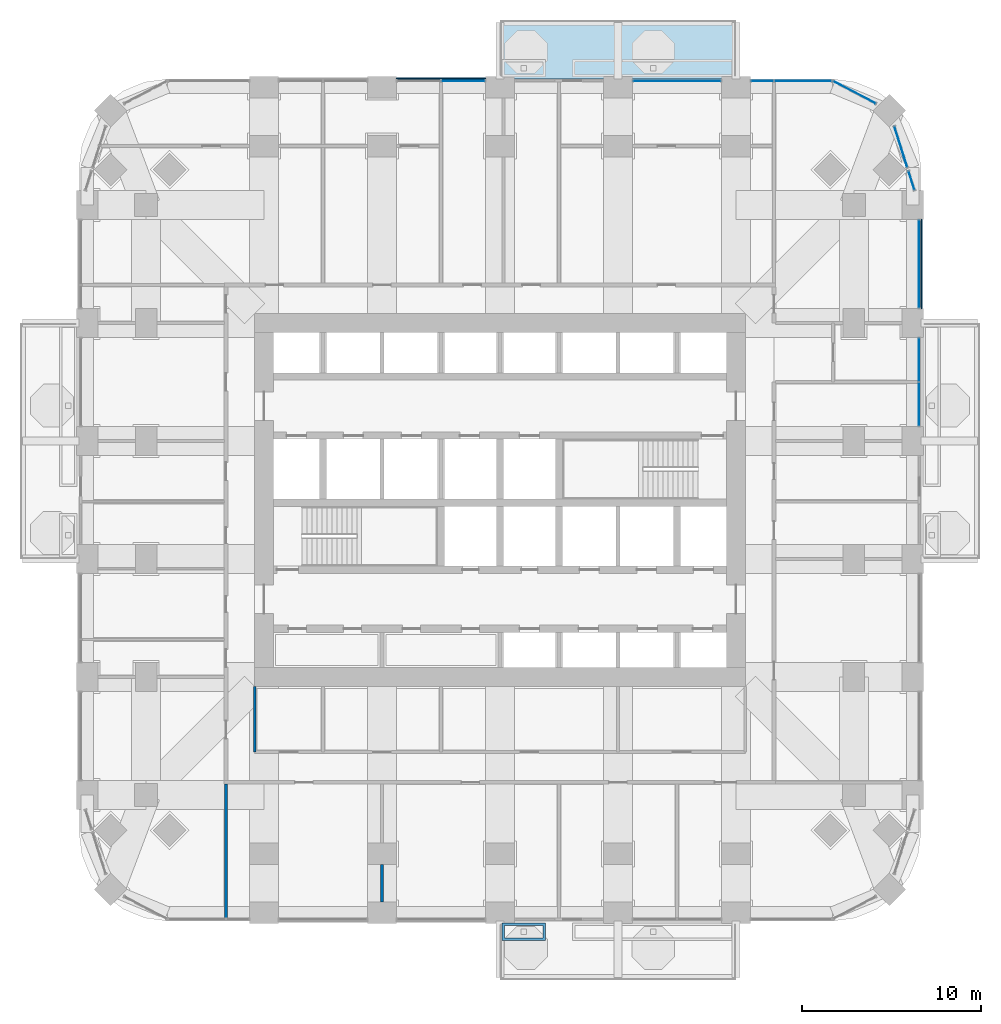
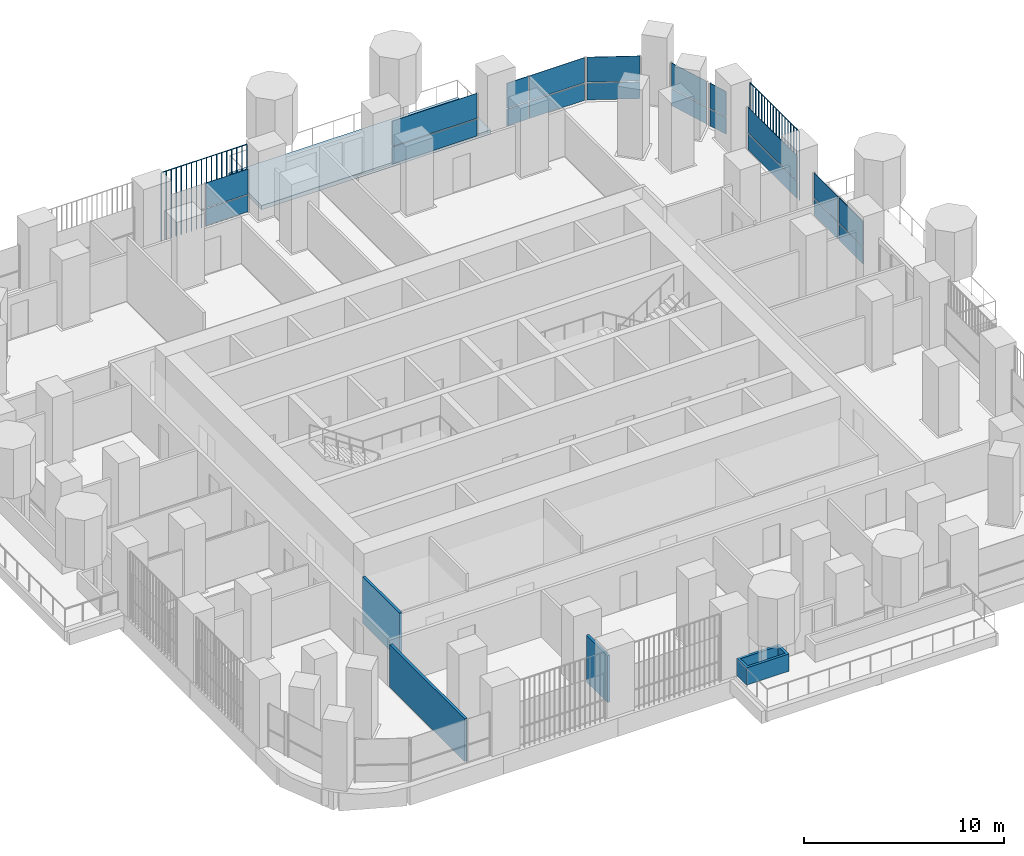
# One storey, part 13 of 22: 22 plates, 4 walls, 1 slab, 8 elements without a shape of their own.
"""IFC4 building model written with IfcOpenShell, lengths in metres."""

import ifcopenshell
import ifcopenshell.guid

model = None  # the IFC model being written
_history = None  # IfcOwnerHistory: only IFC2X3 demands one
_inside = {}  # id of a spatial element -> (the spatial element, [elements in it])
_under = {}  # id of a project, library or spatial element -> (it, [spatial elements below it])
_declared = {}  # id of a project -> (the project, [libraries it declares])
_typed = {}  # id of a type object -> (the type object, [elements of that type])
_made_of = {}  # id of a material, layer set ... -> (it, [elements and type objects made of it])


def new_model(schema):
    """Start an empty IFC model of exactly this schema.

    Asked for "IFC4X3", IfcOpenShell would pick the latest addendum, in which some entities
    have other attributes; the version numbers below select the first issue.
    IFC2X3 requires an IfcOwnerHistory on every rooted entity: one is made here for all.
    """
    global model, _history
    if schema == "IFC4X3":
        model = ifcopenshell.file(schema_version=(4, 3, 0, 0))
    else:
        model = ifcopenshell.file(schema=schema)
    _inside.clear()
    _under.clear()
    _declared.clear()
    _typed.clear()
    _made_of.clear()
    _history = None
    if model.schema == "IFC2X3":
        org = make("IfcOrganization", Name="unknown")
        user = make(
            "IfcPersonAndOrganization",
            ThePerson=make("IfcPerson", FamilyName="unknown"),
            TheOrganization=org,
        )
        app = make(
            "IfcApplication",
            ApplicationDeveloper=org,
            Version="unknown",
            ApplicationFullName="unknown",
            ApplicationIdentifier="unknown",
        )
        _history = make(
            "IfcOwnerHistory",
            OwningUser=user,
            OwningApplication=app,
            ChangeAction="ADDED",
            CreationDate=0,
        )
    return model


def make(cls, **values):
    """One entity of the class cls with the attributes given. An attribute that is None is left unset."""
    return model.create_entity(
        cls, **{name: value for name, value in values.items() if value is not None}
    )


def rooted(cls, **values):
    """An entity with a GlobalId (a new one), such as an element, a storey or a relation."""
    return make(cls, GlobalId=ifcopenshell.guid.new(), OwnerHistory=_history, **values)


def si_unit(unit_type, name, prefix=None):
    """IfcSIUnit, for example si_unit("LENGTHUNIT", "METRE", prefix="MILLI")."""
    return make("IfcSIUnit", UnitType=unit_type, Prefix=prefix, Name=name)


def assignment(units):
    """IfcUnitAssignment: the units of a project."""
    return None if units is None else make("IfcUnitAssignment", Units=units)


def point(xyz):
    """IfcCartesianPoint."""
    return None if xyz is None else make("IfcCartesianPoint", Coordinates=xyz)


def direction(xyz):
    """IfcDirection."""
    return None if xyz is None else make("IfcDirection", DirectionRatios=xyz)


def frame(location, z_axis=None, x_axis=None):
    """IfcAxis2Placement3D, a coordinate frame: its origin and axes. An axis left out is left unset."""
    return make(
        "IfcAxis2Placement3D",
        Location=point(location),
        Axis=direction(z_axis),
        RefDirection=direction(x_axis),
    )


def frame_2d(location, x_axis=None):
    """IfcAxis2Placement2D, a coordinate frame in the plane: its origin and x axis."""
    return make(
        "IfcAxis2Placement2D", Location=point(location), RefDirection=direction(x_axis)
    )


def origin():
    """The frame at (0, 0, 0) with its axes left unset."""
    return frame((0.0, 0.0, 0.0))


def origin_2d():
    """The frame at (0, 0) in the plane with its x axis left unset."""
    return frame_2d((0.0, 0.0))


def place(relative_to, where):
    """IfcLocalPlacement: puts the frame where relative to a parent placement (None: the world)."""
    return make(
        "IfcLocalPlacement", PlacementRelTo=relative_to, RelativePlacement=where
    )


def context(
    kind, dimensions, precision=None, world=None, true_north=None, identifier=None
):
    """IfcGeometricRepresentationContext, for example the 3D "Model" context."""
    return make(
        "IfcGeometricRepresentationContext",
        ContextIdentifier=identifier,
        ContextType=kind,
        CoordinateSpaceDimension=dimensions,
        Precision=precision,
        WorldCoordinateSystem=world,
        TrueNorth=true_north,
    )


def subcontext(parent, identifier, kind, view, scale=None):
    """IfcGeometricRepresentationSubContext, for example "Body" below "Model"."""
    return make(
        "IfcGeometricRepresentationSubContext",
        ContextIdentifier=identifier,
        ContextType=kind,
        ParentContext=parent,
        TargetScale=scale,
        TargetView=view,
    )


def project(units=None, contexts=None):
    """IfcProject with its units and contexts."""
    return rooted(
        "IfcProject",
        Name="project",
        RepresentationContexts=contexts,
        UnitsInContext=assignment(units),
    )


def spatial(cls, under=None, at=None, **own):
    """A site, building, storey or space (cls), placed at a placement, below another one or the project."""
    s = rooted(cls, ObjectPlacement=at, **own)
    if under is not None:
        _under.setdefault(under.id(), (under, []))[1].append(s)
    return s


def polyline(points):
    """IfcPolyline through the points."""
    return make("IfcPolyline", Points=[point(p) for p in points])


def profile(cls, at=None, kind="AREA", **sizes):
    """A parametric profile (cls). Its sizes go by their IFC names, for example OverallWidth=200.0."""
    return make(cls, ProfileType=kind, Position=at, **sizes)


def rectangle(**sizes):
    """IfcRectangleProfileDef."""
    return profile("IfcRectangleProfileDef", **sizes)


def outline(outer, holes=None, kind="AREA"):
    """IfcArbitraryClosedProfileDef: a profile drawn as a closed curve; with holes, ...WithVoids."""
    if holes is None:
        return make("IfcArbitraryClosedProfileDef", ProfileType=kind, OuterCurve=outer)
    return make(
        "IfcArbitraryProfileDefWithVoids",
        ProfileType=kind,
        OuterCurve=outer,
        InnerCurves=holes,
    )


def extrude(swept, where, along, depth):
    """IfcExtrudedAreaSolid: the profile swept, set in the frame where, extruded along a direction by depth."""
    return make(
        "IfcExtrudedAreaSolid",
        SweptArea=swept,
        Position=where,
        ExtrudedDirection=direction(along),
        Depth=depth,
    )


def shape(context_of_items, identifier, shape_type, items):
    """IfcShapeRepresentation: the items that make up one representation, for example the "Body"."""
    return make(
        "IfcShapeRepresentation",
        ContextOfItems=context_of_items,
        RepresentationIdentifier=identifier,
        RepresentationType=shape_type,
        Items=items,
    )


def material(Name=None, Category=None):
    """IfcMaterial."""
    return make("IfcMaterial", Name=Name, Category=Category)


def layer(
    of_material, thickness, ventilated=None, Name=None, Category=None, Priority=None
):
    """IfcMaterialLayer: one layer of a wall or slab, of a material (None: an air gap)."""
    return make(
        "IfcMaterialLayer",
        Material=of_material,
        LayerThickness=thickness,
        IsVentilated=ventilated,
        Name=Name,
        Category=Category,
        Priority=Priority,
    )


def layer_set(layers, Name=None):
    """IfcMaterialLayerSet."""
    return make("IfcMaterialLayerSet", MaterialLayers=layers, LayerSetName=Name)


def made_of(thing, what):
    """Note that an element or type object is made of a material, layer set ...; save() writes the relation."""
    if what is not None:
        _made_of.setdefault(what.id(), (what, []))[1].append(thing)
    return thing


def type_object(cls, material=None, **own):
    """A type object (cls), such as IfcWallType, which elements share."""
    return made_of(rooted(cls, **own), material)


def element(
    cls,
    number,
    at=None,
    inside=None,
    cuts=None,
    type_object=None,
    material=None,
    context=None,
    identifier="Body",
    shape_type=None,
    held_by="IfcProductDefinitionShape",
    body=None,
    shapes=None,
    **own,
):
    """One element of the class cls, such as IfcWall. Its Tag is "e" and its number.

    at: its placement. inside: the storey or other place that contains it. cuts: it is an
    opening in that element (IfcRelVoidsElement). A single representation is given by context,
    identifier, shape_type and body (its items); several are given by shapes. held_by: the class
    of the entity that holds the representations. save() writes the other relations.
    """
    e = rooted(cls, Tag="e%d" % number, ObjectPlacement=at, **own)
    if body is not None:
        shapes = [shape(context, identifier, shape_type, body)]
    if shapes is not None:
        e.Representation = make(held_by, Representations=shapes)
    if inside is not None:
        _inside.setdefault(inside.id(), (inside, []))[1].append(e)
    if cuts is not None:
        rooted(
            "IfcRelVoidsElement", RelatingBuildingElement=cuts, RelatedOpeningElement=e
        )
    if type_object is not None:
        _typed.setdefault(type_object.id(), (type_object, []))[1].append(e)
    return made_of(e, material)


def aggregate(whole, parts):
    """IfcRelAggregates: a whole, such as a stair, and the parts it consists of."""
    return rooted("IfcRelAggregates", RelatingObject=whole, RelatedObjects=parts)


def save(model, path):
    """Write the relations noted so far, then the file.

    IfcRelAggregates (storeys below a building ...), IfcRelContainedInSpatialStructure (elements
    in a storey), IfcRelDefinesByType, IfcRelAssociatesMaterial and IfcRelDeclares: one each for
    every whole, place, type object, material and project.
    """
    for whole, parts in _under.values():
        aggregate(whole, parts)
    for where, things in _inside.values():
        rooted(
            "IfcRelContainedInSpatialStructure",
            RelatedElements=things,
            RelatingStructure=where,
        )
    for kind, things in _typed.values():
        rooted("IfcRelDefinesByType", RelatedObjects=things, RelatingType=kind)
    for what, things in _made_of.values():
        rooted("IfcRelAssociatesMaterial", RelatedObjects=things, RelatingMaterial=what)
    for by, libraries in _declared.values():
        rooted("IfcRelDeclares", RelatingContext=by, RelatedDefinitions=libraries)
    model.write(path)


model = new_model("IFC4")

# Units and contexts
model_context = context("Model", 3, precision=1e-05, world=origin(), true_north=direction((0.0, 1.0)))
body_context = subcontext(model_context, "Body", "Model", "MODEL_VIEW")
ifc_project = project(units=[si_unit("LENGTHUNIT", "METRE"), si_unit("AREAUNIT", "SQUARE_METRE"), si_unit("VOLUMEUNIT", "CUBIC_METRE"), si_unit("PLANEANGLEUNIT", "RADIAN"), si_unit("MASSUNIT", "GRAM", prefix="KILO")], contexts=[model_context])

# Site, building, storey
site_placement = place(None, origin())
site = spatial("IfcSite", under=ifc_project, at=site_placement, CompositionType="ELEMENT")
building_placement = place(site_placement, origin())
building = spatial("IfcBuilding", under=site, at=building_placement, Name="Cobogo Forest Laboratory Tower", CompositionType="ELEMENT")
storey_placement = place(building_placement, frame((0.0, 0.0, 136.800048828125)))
storey = spatial("IfcBuildingStorey", under=building, at=storey_placement, Name="L31", CompositionType="ELEMENT", Elevation=136.800048828125)

# Slab
ifc_material_1 = material(Name="Concrete HA-40 (C40/50)", Category="concrete")
ifc_layer_1 = layer(ifc_material_1, 0.25)
ifc_layer_set_1 = layer_set([ifc_layer_1], Name="Balcony slab 250")
slab_type = type_object("IfcSlabType", Name="Balcony slab 250", PredefinedType="FLOOR", material=ifc_layer_set_1)
slab_placement = place(storey_placement, frame((0.0, 0.0, -0.25)))
element("IfcSlab", 1, at=slab_placement, inside=storey, type_object=slab_type, Name="Balcony BAL-N1 L31", PredefinedType="FLOOR", context=body_context, shape_type="SweptSolid", body=[
    extrude(outline(polyline([(26.39990234375, 46.64990234375), (39.60009765625, 46.64990234375), (39.60009765625, 49.949951171875), (26.39990234375, 49.949951171875), (26.39990234375, 46.64990234375)])), origin(), (0.0, 0.0, 1.0), 0.25),
])

# Curtain wall, plates
ifc_material_2 = material(Name="Aluminium curtain wall", Category="aluminium")
curtain_wall_type = type_object("IfcCurtainWallType", Name="CW-1 unitised curtain wall, clear glazing, laboratory floors zones A and B", PredefinedType="USERDEFINED", material=ifc_material_2)
curtain_wall_1_placement = place(storey_placement, origin())
curtain_wall_1 = element("IfcCurtainWall", 2, at=curtain_wall_1_placement, inside=storey, type_object=curtain_wall_type, Name="Curtain wall 13 L31", ObjectType="UNITISED CURTAIN WALL", PredefinedType="USERDEFINED")
ifc_material_3 = material(Name="Clear insulated glass", Category="glass")
ifc_layer_2 = layer(ifc_material_3, 0.028076171875)
ifc_layer_set_2 = layer_set([ifc_layer_2], Name="GP-1 clear insulated glass unit 28")
plate_type_1 = type_object("IfcPlateType", Name="GP-1 clear insulated glass unit 28", PredefinedType="CURTAIN_PANEL", material=ifc_layer_set_2)
plate_1_placement = place(storey_placement, frame((49.85009765625, 28.465087890625, 0.0), z_axis=(0.0, 0.0, 1.0), x_axis=(0.0, 1.0, 0.0)))
plate_1 = element("IfcPlate", 3, at=plate_1_placement, type_object=plate_type_1, Name="CW-1 panel 1.1", PredefinedType="CURTAIN_PANEL", context=body_context, shape_type="SweptSolid", body=[
    extrude(rectangle(XDim=2.409912109375, YDim=0.028076171875, at=origin_2d()), origin(), (0.0, 0.0, 1.0), 1.02001953125),
])
plate_2_placement = place(storey_placement, frame((49.85009765625, 28.465087890625, 1.079833984375), z_axis=(0.0, 0.0, 1.0), x_axis=(0.0, 1.0, 0.0)))
plate_2 = element("IfcPlate", 4, at=plate_2_placement, type_object=plate_type_1, Name="CW-1 panel 1.2", PredefinedType="CURTAIN_PANEL", context=body_context, shape_type="SweptSolid", body=[
    extrude(rectangle(XDim=2.409912109375, YDim=0.028076171875, at=origin_2d()), origin(), (0.0, 0.0, 1.0), 1.52001953125),
])
plate_3_placement = place(storey_placement, frame((49.85009765625, 30.93505859375, 0.0), z_axis=(0.0, 0.0, 1.0), x_axis=(0.0, 1.0, 0.0)))
plate_3 = element("IfcPlate", 5, at=plate_3_placement, type_object=plate_type_1, Name="CW-1 panel 2.1", PredefinedType="CURTAIN_PANEL", context=body_context, shape_type="SweptSolid", body=[
    extrude(rectangle(XDim=2.409912109375, YDim=0.028076171875, at=origin_2d()), origin(), (0.0, 0.0, 1.0), 1.02001953125),
])
plate_4_placement = place(storey_placement, frame((49.85009765625, 30.93505859375, 1.079833984375), z_axis=(0.0, 0.0, 1.0), x_axis=(0.0, 1.0, 0.0)))
plate_4 = element("IfcPlate", 6, at=plate_4_placement, type_object=plate_type_1, Name="CW-1 panel 2.2", PredefinedType="CURTAIN_PANEL", context=body_context, shape_type="SweptSolid", body=[
    extrude(rectangle(XDim=2.409912109375, YDim=0.028076171875, at=origin_2d()), origin(), (0.0, 0.0, 1.0), 1.52001953125),
])
aggregate(curtain_wall_1, [plate_1, plate_2, plate_3, plate_4])

curtain_wall_2_placement = place(storey_placement, origin())
curtain_wall_2 = element("IfcCurtainWall", 7, at=curtain_wall_2_placement, inside=storey, type_object=curtain_wall_type, Name="Curtain wall 14 L31", ObjectType="UNITISED CURTAIN WALL", PredefinedType="USERDEFINED")
plate_5_placement = place(storey_placement, frame((49.85009765625, 36.300048828125, 0.0), z_axis=(0.0, 0.0, 1.0), x_axis=(0.0, 1.0, 0.0)))
plate_5 = element("IfcPlate", 8, at=plate_5_placement, type_object=plate_type_1, Name="CW-1 panel 1.1", PredefinedType="CURTAIN_PANEL", context=body_context, shape_type="SweptSolid", body=[
    extrude(rectangle(XDim=4.8798828125, YDim=0.028076171875, at=origin_2d()), origin(), (0.0, 0.0, 1.0), 1.02001953125),
])
plate_6_placement = place(storey_placement, frame((49.85009765625, 36.300048828125, 1.079833984375), z_axis=(0.0, 0.0, 1.0), x_axis=(0.0, 1.0, 0.0)))
plate_6 = element("IfcPlate", 9, at=plate_6_placement, type_object=plate_type_1, Name="CW-1 panel 1.2", PredefinedType="CURTAIN_PANEL", context=body_context, shape_type="SweptSolid", body=[
    extrude(rectangle(XDim=4.8798828125, YDim=0.028076171875, at=origin_2d()), origin(), (0.0, 0.0, 1.0), 1.52001953125),
])
aggregate(curtain_wall_2, [plate_5, plate_6])

curtain_wall_3_placement = place(storey_placement, origin())
curtain_wall_3 = element("IfcCurtainWall", 10, at=curtain_wall_3_placement, inside=storey, type_object=curtain_wall_type, Name="Curtain wall 15 L31", ObjectType="UNITISED CURTAIN WALL", PredefinedType="USERDEFINED")
plate_7_placement = place(storey_placement, frame((49.41796875, 40.9677734375, 0.0), z_axis=(0.0, 0.0, 1.0), x_axis=(-0.301135667865, 0.953581307252, 0.0)))
plate_7 = element("IfcPlate", 11, at=plate_7_placement, type_object=plate_type_1, Name="CW-1 panel 1.1", PredefinedType="CURTAIN_PANEL", context=body_context, shape_type="SweptSolid", body=[
    extrude(rectangle(XDim=1.071044921875, YDim=0.028076171875, at=origin_2d()), origin(), (0.0, 0.0, 1.0), 1.02001953125),
])
plate_8_placement = place(storey_placement, frame((49.41796875, 40.9677734375, 1.079833984375), z_axis=(0.0, 0.0, 1.0), x_axis=(-0.301135667865, 0.953581307252, 0.0)))
plate_8 = element("IfcPlate", 12, at=plate_8_placement, type_object=plate_type_1, Name="CW-1 panel 1.2", PredefinedType="CURTAIN_PANEL", context=body_context, shape_type="SweptSolid", body=[
    extrude(rectangle(XDim=1.071044921875, YDim=0.028076171875, at=origin_2d()), origin(), (0.0, 0.0, 1.0), 1.52001953125),
])
aggregate(curtain_wall_3, [plate_7, plate_8])

curtain_wall_4_placement = place(storey_placement, origin())
curtain_wall_4 = element("IfcCurtainWall", 13, at=curtain_wall_4_placement, inside=storey, type_object=curtain_wall_type, Name="Curtain wall 16 L31", ObjectType="UNITISED CURTAIN WALL", PredefinedType="USERDEFINED")
plate_9_placement = place(storey_placement, frame((48.8212890625, 42.857421875, 0.0), z_axis=(0.0, 0.0, 1.0), x_axis=(-0.301135291996, 0.953581425949, 0.0)))
plate_9 = element("IfcPlate", 14, at=plate_9_placement, type_object=plate_type_1, Name="CW-1 panel 1.1", PredefinedType="CURTAIN_PANEL", context=body_context, shape_type="SweptSolid", body=[
    extrude(rectangle(XDim=2.3681640625, YDim=0.028076171875, at=origin_2d()), origin(), (0.0, 0.0, 1.0), 1.02001953125),
])
plate_10_placement = place(storey_placement, frame((48.8212890625, 42.857421875, 1.079833984375), z_axis=(0.0, 0.0, 1.0), x_axis=(-0.301135291996, 0.953581425949, 0.0)))
plate_10 = element("IfcPlate", 15, at=plate_10_placement, type_object=plate_type_1, Name="CW-1 panel 1.2", PredefinedType="CURTAIN_PANEL", context=body_context, shape_type="SweptSolid", body=[
    extrude(rectangle(XDim=2.3681640625, YDim=0.028076171875, at=origin_2d()), origin(), (0.0, 0.0, 1.0), 1.52001953125),
])
aggregate(curtain_wall_4, [plate_9, plate_10])

curtain_wall_5_placement = place(storey_placement, origin())
curtain_wall_5 = element("IfcCurtainWall", 16, at=curtain_wall_5_placement, inside=storey, type_object=curtain_wall_type, Name="Curtain wall 17 L31", ObjectType="UNITISED CURTAIN WALL", PredefinedType="USERDEFINED")
plate_11_placement = place(storey_placement, frame((46.229248046875, 45.90576171875, 0.0), z_axis=(0.0, 0.0, 1.0), x_axis=(-0.885686547075, 0.464283685186, 0.0)))
plate_11 = element("IfcPlate", 17, at=plate_11_placement, type_object=plate_type_1, Name="CW-1 panel 1.1", PredefinedType="CURTAIN_PANEL", context=body_context, shape_type="SweptSolid", body=[
    extrude(rectangle(XDim=2.655517578125, YDim=0.028076171875, at=origin_2d()), origin(), (0.0, 0.0, 1.0), 1.02001953125),
])
plate_12_placement = place(storey_placement, frame((46.229248046875, 45.90576171875, 1.079833984375), z_axis=(0.0, 0.0, 1.0), x_axis=(-0.885686547075, 0.464283685186, 0.0)))
plate_12 = element("IfcPlate", 18, at=plate_12_placement, type_object=plate_type_1, Name="CW-1 panel 1.2", PredefinedType="CURTAIN_PANEL", context=body_context, shape_type="SweptSolid", body=[
    extrude(rectangle(XDim=2.655517578125, YDim=0.028076171875, at=origin_2d()), origin(), (0.0, 0.0, 1.0), 1.52001953125),
])
aggregate(curtain_wall_5, [plate_11, plate_12])

curtain_wall_6_placement = place(storey_placement, origin())
curtain_wall_6 = element("IfcCurtainWall", 19, at=curtain_wall_6_placement, inside=storey, type_object=curtain_wall_type, Name="Curtain wall 18 L31", ObjectType="UNITISED CURTAIN WALL", PredefinedType="USERDEFINED")
plate_13_placement = place(storey_placement, frame((43.347412109375, 46.550048828125, 0.0), z_axis=(0.0, 0.0, 1.0), x_axis=(-1.0, 0.0, 0.0)))
plate_13 = element("IfcPlate", 20, at=plate_13_placement, type_object=plate_type_1, Name="CW-1 panel 1.1", PredefinedType="CURTAIN_PANEL", context=body_context, shape_type="SweptSolid", body=[
    extrude(rectangle(XDim=3.18505859375, YDim=0.028076171875, at=origin_2d()), origin(), (0.0, 0.0, 1.0), 1.02001953125),
])
plate_14_placement = place(storey_placement, frame((43.347412109375, 46.550048828125, 1.079833984375), z_axis=(0.0, 0.0, 1.0), x_axis=(-1.0, 0.0, 0.0)))
plate_14 = element("IfcPlate", 21, at=plate_14_placement, type_object=plate_type_1, Name="CW-1 panel 1.2", PredefinedType="CURTAIN_PANEL", context=body_context, shape_type="SweptSolid", body=[
    extrude(rectangle(XDim=3.18505859375, YDim=0.028076171875, at=origin_2d()), origin(), (0.0, 0.0, 1.0), 1.52001953125),
])
plate_15_placement = place(storey_placement, frame((41.077392578125, 46.550048828125, 0.0), z_axis=(0.0, 0.0, 1.0), x_axis=(-1.0, 0.0, 0.0)))
plate_15 = element("IfcPlate", 22, at=plate_15_placement, type_object=plate_type_1, Name="CW-1 panel 2.1", PredefinedType="CURTAIN_PANEL", context=body_context, shape_type="SweptSolid", body=[
    extrude(rectangle(XDim=1.235107421875, YDim=0.028076171875, at=origin_2d()), origin(), (0.0, 0.0, 1.0), 1.02001953125),
])
plate_16_placement = place(storey_placement, frame((41.077392578125, 46.550048828125, 1.079833984375), z_axis=(0.0, 0.0, 1.0), x_axis=(-1.0, 0.0, 0.0)))
plate_16 = element("IfcPlate", 23, at=plate_16_placement, type_object=plate_type_1, Name="CW-1 panel 2.2", PredefinedType="CURTAIN_PANEL", context=body_context, shape_type="SweptSolid", body=[
    extrude(rectangle(XDim=1.235107421875, YDim=0.028076171875, at=origin_2d()), origin(), (0.0, 0.0, 1.0), 1.52001953125),
])
aggregate(curtain_wall_6, [plate_13, plate_14, plate_15, plate_16])

curtain_wall_7_placement = place(storey_placement, origin())
curtain_wall_7 = element("IfcCurtainWall", 24, at=curtain_wall_7_placement, inside=storey, type_object=curtain_wall_type, Name="Curtain wall 19 L31", ObjectType="UNITISED CURTAIN WALL", PredefinedType="USERDEFINED")
plate_17_placement = place(storey_placement, frame((36.300048828125, 46.550048828125, 0.0), z_axis=(0.0, 0.0, 1.0), x_axis=(-1.0, 0.0, 0.0)))
plate_17 = element("IfcPlate", 25, at=plate_17_placement, type_object=plate_type_1, Name="CW-1 panel 1.1", PredefinedType="CURTAIN_PANEL", context=body_context, shape_type="SweptSolid", body=[
    extrude(rectangle(XDim=4.8798828125, YDim=0.028076171875, at=origin_2d()), origin(), (0.0, 0.0, 1.0), 1.02001953125),
])
plate_18_placement = place(storey_placement, frame((36.300048828125, 46.550048828125, 1.079833984375), z_axis=(0.0, 0.0, 1.0), x_axis=(-1.0, 0.0, 0.0)))
plate_18 = element("IfcPlate", 26, at=plate_18_placement, type_object=plate_type_1, Name="CW-1 panel 1.2", PredefinedType="CURTAIN_PANEL", context=body_context, shape_type="SweptSolid", body=[
    extrude(rectangle(XDim=4.8798828125, YDim=0.028076171875, at=origin_2d()), origin(), (0.0, 0.0, 1.0), 1.52001953125),
])
aggregate(curtain_wall_7, [plate_17, plate_18])

curtain_wall_8_placement = place(storey_placement, origin())
curtain_wall_8 = element("IfcCurtainWall", 27, at=curtain_wall_8_placement, inside=storey, type_object=curtain_wall_type, Name="Curtain wall 21 L31", ObjectType="UNITISED CURTAIN WALL", PredefinedType="USERDEFINED")
plate_19_placement = place(storey_placement, frame((24.3349609375, 46.550048828125, 0.0), z_axis=(0.0, 0.0, 1.0), x_axis=(-1.0, 0.0, 0.0)))
plate_19 = element("IfcPlate", 28, at=plate_19_placement, type_object=plate_type_1, Name="CW-1 panel 1.1", PredefinedType="CURTAIN_PANEL", context=body_context, shape_type="SweptSolid", body=[
    extrude(rectangle(XDim=2.409912109375, YDim=0.028076171875, at=origin_2d()), origin(), (0.0, 0.0, 1.0), 1.02001953125),
])
plate_20_placement = place(storey_placement, frame((24.3349609375, 46.550048828125, 1.079833984375), z_axis=(0.0, 0.0, 1.0), x_axis=(-1.0, 0.0, 0.0)))
plate_20 = element("IfcPlate", 29, at=plate_20_placement, type_object=plate_type_1, Name="CW-1 panel 1.2", PredefinedType="CURTAIN_PANEL", context=body_context, shape_type="SweptSolid", body=[
    extrude(rectangle(XDim=2.409912109375, YDim=0.028076171875, at=origin_2d()), origin(), (0.0, 0.0, 1.0), 1.52001953125),
])
aggregate(curtain_wall_8, [plate_19, plate_20])

# Plates
ifc_material_4 = material(Name="Terracotta", Category="masonry")
plate_type_2 = type_object("IfcPlateType", Name="TB1 terracotta baguette screen", PredefinedType="USERDEFINED", material=ifc_material_4)
plate_21_placement = place(storey_placement, frame((49.977783203125, 33.831298828125, -0.150146484375)))
element("IfcPlate", 30, at=plate_21_placement, inside=storey, type_object=plate_type_2, Name="Baguette screen E5 L31", ObjectType="BAGUETTE SCREEN", PredefinedType="USERDEFINED", context=body_context, shape_type="SweptSolid", body=[
    extrude(outline(polyline([(0.02880859375, 0.011962890625), (0.011962890625, 0.02880859375), (-0.011962890625, 0.02880859375), (-0.02880859375, 0.011962890625), (-0.02880859375, -0.011962890625), (-0.011962890625, -0.02880859375), (0.011962890625, -0.02880859375), (0.02880859375, -0.011962890625), (0.02880859375, 0.011962890625)])), frame((0.0, 0.0, 4.168701171875), z_axis=(0.0, 1.0, 0.0), x_axis=(-1.0, 0.0, 0.0)), (0.0, 0.0, 1.0), 4.9375),
    extrude(outline(polyline([(0.02880859375, 0.011962890625), (0.011962890625, 0.02880859375), (-0.011962890625, 0.02880859375), (-0.02880859375, 0.011962890625), (-0.02880859375, -0.011962890625), (-0.011962890625, -0.02880859375), (0.011962890625, -0.02880859375), (0.02880859375, -0.011962890625), (0.02880859375, 0.011962890625)])), origin(), (0.0, 0.0, 1.0), 4.137451171875),
    extrude(outline(polyline([(0.02880859375, 0.011962890625), (0.011962890625, 0.02880859375), (-0.011962890625, 0.02880859375), (-0.02880859375, 0.011962890625), (-0.02880859375, -0.011962890625), (-0.011962890625, -0.02880859375), (0.011962890625, -0.02880859375), (0.02880859375, -0.011962890625), (0.02880859375, 0.011962890625)])), frame((0.0, 0.29052734375, 0.0)), (0.0, 0.0, 1.0), 4.137451171875),
    extrude(outline(polyline([(0.02880859375, 0.011962890625), (0.011962890625, 0.02880859375), (-0.011962890625, 0.02880859375), (-0.02880859375, 0.011962890625), (-0.02880859375, -0.011962890625), (-0.011962890625, -0.02880859375), (0.011962890625, -0.02880859375), (0.02880859375, -0.011962890625), (0.02880859375, 0.011962890625)])), frame((0.0, 0.580810546875, 0.0)), (0.0, 0.0, 1.0), 4.137451171875),
    extrude(outline(polyline([(0.02880859375, 0.011962890625), (0.011962890625, 0.02880859375), (-0.011962890625, 0.02880859375), (-0.02880859375, 0.011962890625), (-0.02880859375, -0.011962890625), (-0.011962890625, -0.02880859375), (0.011962890625, -0.02880859375), (0.02880859375, -0.011962890625), (0.02880859375, 0.011962890625)])), frame((0.0, 0.871337890625, 0.0)), (0.0, 0.0, 1.0), 4.137451171875),
    extrude(outline(polyline([(0.02880859375, 0.011962890625), (0.011962890625, 0.02880859375), (-0.011962890625, 0.02880859375), (-0.02880859375, 0.011962890625), (-0.02880859375, -0.011962890625), (-0.011962890625, -0.02880859375), (0.011962890625, -0.02880859375), (0.02880859375, -0.011962890625), (0.02880859375, 0.011962890625)])), frame((0.0, 1.161865234375, 0.0)), (0.0, 0.0, 1.0), 4.137451171875),
    extrude(outline(polyline([(0.02880859375, 0.011962890625), (0.011962890625, 0.02880859375), (-0.011962890625, 0.02880859375), (-0.02880859375, 0.011962890625), (-0.02880859375, -0.011962890625), (-0.011962890625, -0.02880859375), (0.011962890625, -0.02880859375), (0.02880859375, -0.011962890625), (0.02880859375, 0.011962890625)])), frame((0.0, 1.4521484375, 0.0)), (0.0, 0.0, 1.0), 4.137451171875),
    extrude(outline(polyline([(0.02880859375, 0.011962890625), (0.011962890625, 0.02880859375), (-0.011962890625, 0.02880859375), (-0.02880859375, 0.011962890625), (-0.02880859375, -0.011962890625), (-0.011962890625, -0.02880859375), (0.011962890625, -0.02880859375), (0.02880859375, -0.011962890625), (0.02880859375, 0.011962890625)])), frame((0.0, 1.74267578125, 0.0)), (0.0, 0.0, 1.0), 4.137451171875),
    extrude(outline(polyline([(0.02880859375, 0.011962890625), (0.011962890625, 0.02880859375), (-0.011962890625, 0.02880859375), (-0.02880859375, 0.011962890625), (-0.02880859375, -0.011962890625), (-0.011962890625, -0.02880859375), (0.011962890625, -0.02880859375), (0.02880859375, -0.011962890625), (0.02880859375, 0.011962890625)])), frame((0.0, 2.033203125, 0.0)), (0.0, 0.0, 1.0), 4.137451171875),
    extrude(outline(polyline([(0.02880859375, 0.011962890625), (0.011962890625, 0.02880859375), (-0.011962890625, 0.02880859375), (-0.02880859375, 0.011962890625), (-0.02880859375, -0.011962890625), (-0.011962890625, -0.02880859375), (0.011962890625, -0.02880859375), (0.02880859375, -0.011962890625), (0.02880859375, 0.011962890625)])), frame((0.0, 2.323486328125, 0.0)), (0.0, 0.0, 1.0), 4.137451171875),
    extrude(outline(polyline([(0.02880859375, 0.011962890625), (0.011962890625, 0.02880859375), (-0.011962890625, 0.02880859375), (-0.02880859375, 0.011962890625), (-0.02880859375, -0.011962890625), (-0.011962890625, -0.02880859375), (0.011962890625, -0.02880859375), (0.02880859375, -0.011962890625), (0.02880859375, 0.011962890625)])), frame((0.0, 2.614013671875, 0.0)), (0.0, 0.0, 1.0), 4.137451171875),
    extrude(outline(polyline([(0.02880859375, 0.011962890625), (0.011962890625, 0.02880859375), (-0.011962890625, 0.02880859375), (-0.02880859375, 0.011962890625), (-0.02880859375, -0.011962890625), (-0.011962890625, -0.02880859375), (0.011962890625, -0.02880859375), (0.02880859375, -0.011962890625), (0.02880859375, 0.011962890625)])), frame((0.0, 2.904296875, 0.0)), (0.0, 0.0, 1.0), 4.137451171875),
    extrude(outline(polyline([(0.02880859375, 0.011962890625), (0.011962890625, 0.02880859375), (-0.011962890625, 0.02880859375), (-0.02880859375, 0.011962890625), (-0.02880859375, -0.011962890625), (-0.011962890625, -0.02880859375), (0.011962890625, -0.02880859375), (0.02880859375, -0.011962890625), (0.02880859375, 0.011962890625)])), frame((0.0, 3.19482421875, 0.0)), (0.0, 0.0, 1.0), 4.137451171875),
    extrude(outline(polyline([(0.02880859375, 0.011962890625), (0.011962890625, 0.02880859375), (-0.011962890625, 0.02880859375), (-0.02880859375, 0.011962890625), (-0.02880859375, -0.011962890625), (-0.011962890625, -0.02880859375), (0.011962890625, -0.02880859375), (0.02880859375, -0.011962890625), (0.02880859375, 0.011962890625)])), frame((0.0, 3.4853515625, 0.0)), (0.0, 0.0, 1.0), 4.137451171875),
    extrude(outline(polyline([(0.02880859375, 0.011962890625), (0.011962890625, 0.02880859375), (-0.011962890625, 0.02880859375), (-0.02880859375, 0.011962890625), (-0.02880859375, -0.011962890625), (-0.011962890625, -0.02880859375), (0.011962890625, -0.02880859375), (0.02880859375, -0.011962890625), (0.02880859375, 0.011962890625)])), frame((0.0, 3.775634765625, 0.0)), (0.0, 0.0, 1.0), 4.137451171875),
    extrude(outline(polyline([(0.02880859375, 0.011962890625), (0.011962890625, 0.02880859375), (-0.011962890625, 0.02880859375), (-0.02880859375, 0.011962890625), (-0.02880859375, -0.011962890625), (-0.011962890625, -0.02880859375), (0.011962890625, -0.02880859375), (0.02880859375, -0.011962890625), (0.02880859375, 0.011962890625)])), frame((0.0, 4.066162109375, 0.0)), (0.0, 0.0, 1.0), 4.137451171875),
    extrude(outline(polyline([(0.02880859375, 0.011962890625), (0.011962890625, 0.02880859375), (-0.011962890625, 0.02880859375), (-0.02880859375, 0.011962890625), (-0.02880859375, -0.011962890625), (-0.011962890625, -0.02880859375), (0.011962890625, -0.02880859375), (0.02880859375, -0.011962890625), (0.02880859375, 0.011962890625)])), frame((0.0, 4.356689453125, 0.0)), (0.0, 0.0, 1.0), 4.137451171875),
    extrude(outline(polyline([(0.02880859375, 0.011962890625), (0.011962890625, 0.02880859375), (-0.011962890625, 0.02880859375), (-0.02880859375, 0.011962890625), (-0.02880859375, -0.011962890625), (-0.011962890625, -0.02880859375), (0.011962890625, -0.02880859375), (0.02880859375, -0.011962890625), (0.02880859375, 0.011962890625)])), frame((0.0, 4.64697265625, 0.0)), (0.0, 0.0, 1.0), 4.137451171875),
    extrude(outline(polyline([(0.02880859375, 0.011962890625), (0.011962890625, 0.02880859375), (-0.011962890625, 0.02880859375), (-0.02880859375, 0.011962890625), (-0.02880859375, -0.011962890625), (-0.011962890625, -0.02880859375), (0.011962890625, -0.02880859375), (0.02880859375, -0.011962890625), (0.02880859375, 0.011962890625)])), frame((0.0, 4.9375, 0.0)), (0.0, 0.0, 1.0), 4.137451171875),
])
plate_22_placement = place(storey_placement, frame((20.63134765625, 46.677978515625, -0.150146484375)))
element("IfcPlate", 31, at=plate_22_placement, inside=storey, type_object=plate_type_2, Name="Baguette screen N2 L31", ObjectType="BAGUETTE SCREEN", PredefinedType="USERDEFINED", context=body_context, shape_type="SweptSolid", body=[
    extrude(outline(polyline([(0.02880859375, 0.011962890625), (0.011962890625, 0.02880859375), (-0.011962890625, 0.02880859375), (-0.02880859375, 0.011962890625), (-0.02880859375, -0.011962890625), (-0.011962890625, -0.02880859375), (0.011962890625, -0.02880859375), (0.02880859375, -0.011962890625), (0.02880859375, 0.011962890625)])), frame((0.0, 0.0, 4.168701171875), z_axis=(1.0, 0.0, 0.0), x_axis=(0.0, 1.0, 0.0)), (0.0, 0.0, 1.0), 4.9375),
    extrude(outline(polyline([(0.02880859375, 0.011962890625), (0.011962890625, 0.02880859375), (-0.011962890625, 0.02880859375), (-0.02880859375, 0.011962890625), (-0.02880859375, -0.011962890625), (-0.011962890625, -0.02880859375), (0.011962890625, -0.02880859375), (0.02880859375, -0.011962890625), (0.02880859375, 0.011962890625)])), origin(), (0.0, 0.0, 1.0), 4.137451171875),
    extrude(outline(polyline([(0.02880859375, 0.011962890625), (0.011962890625, 0.02880859375), (-0.011962890625, 0.02880859375), (-0.02880859375, 0.011962890625), (-0.02880859375, -0.011962890625), (-0.011962890625, -0.02880859375), (0.011962890625, -0.02880859375), (0.02880859375, -0.011962890625), (0.02880859375, 0.011962890625)])), frame((0.29052734375, 0.0, 0.0)), (0.0, 0.0, 1.0), 4.137451171875),
    extrude(outline(polyline([(0.02880859375, 0.011962890625), (0.011962890625, 0.02880859375), (-0.011962890625, 0.02880859375), (-0.02880859375, 0.011962890625), (-0.02880859375, -0.011962890625), (-0.011962890625, -0.02880859375), (0.011962890625, -0.02880859375), (0.02880859375, -0.011962890625), (0.02880859375, 0.011962890625)])), frame((0.580810546875, 0.0, 0.0)), (0.0, 0.0, 1.0), 4.137451171875),
    extrude(outline(polyline([(0.02880859375, 0.011962890625), (0.011962890625, 0.02880859375), (-0.011962890625, 0.02880859375), (-0.02880859375, 0.011962890625), (-0.02880859375, -0.011962890625), (-0.011962890625, -0.02880859375), (0.011962890625, -0.02880859375), (0.02880859375, -0.011962890625), (0.02880859375, 0.011962890625)])), frame((0.871337890625, 0.0, 0.0)), (0.0, 0.0, 1.0), 4.137451171875),
    extrude(outline(polyline([(0.02880859375, 0.011962890625), (0.011962890625, 0.02880859375), (-0.011962890625, 0.02880859375), (-0.02880859375, 0.011962890625), (-0.02880859375, -0.011962890625), (-0.011962890625, -0.02880859375), (0.011962890625, -0.02880859375), (0.02880859375, -0.011962890625), (0.02880859375, 0.011962890625)])), frame((1.161865234375, 0.0, 0.0)), (0.0, 0.0, 1.0), 4.137451171875),
    extrude(outline(polyline([(0.02880859375, 0.011962890625), (0.011962890625, 0.02880859375), (-0.011962890625, 0.02880859375), (-0.02880859375, 0.011962890625), (-0.02880859375, -0.011962890625), (-0.011962890625, -0.02880859375), (0.011962890625, -0.02880859375), (0.02880859375, -0.011962890625), (0.02880859375, 0.011962890625)])), frame((1.4521484375, 0.0, 0.0)), (0.0, 0.0, 1.0), 4.137451171875),
    extrude(outline(polyline([(0.02880859375, 0.011962890625), (0.011962890625, 0.02880859375), (-0.011962890625, 0.02880859375), (-0.02880859375, 0.011962890625), (-0.02880859375, -0.011962890625), (-0.011962890625, -0.02880859375), (0.011962890625, -0.02880859375), (0.02880859375, -0.011962890625), (0.02880859375, 0.011962890625)])), frame((1.74267578125, 0.0, 0.0)), (0.0, 0.0, 1.0), 4.137451171875),
    extrude(outline(polyline([(0.02880859375, 0.011962890625), (0.011962890625, 0.02880859375), (-0.011962890625, 0.02880859375), (-0.02880859375, 0.011962890625), (-0.02880859375, -0.011962890625), (-0.011962890625, -0.02880859375), (0.011962890625, -0.02880859375), (0.02880859375, -0.011962890625), (0.02880859375, 0.011962890625)])), frame((2.033203125, 0.0, 0.0)), (0.0, 0.0, 1.0), 4.137451171875),
    extrude(outline(polyline([(0.02880859375, 0.011962890625), (0.011962890625, 0.02880859375), (-0.011962890625, 0.02880859375), (-0.02880859375, 0.011962890625), (-0.02880859375, -0.011962890625), (-0.011962890625, -0.02880859375), (0.011962890625, -0.02880859375), (0.02880859375, -0.011962890625), (0.02880859375, 0.011962890625)])), frame((2.323486328125, 0.0, 0.0)), (0.0, 0.0, 1.0), 4.137451171875),
    extrude(outline(polyline([(0.02880859375, 0.011962890625), (0.011962890625, 0.02880859375), (-0.011962890625, 0.02880859375), (-0.02880859375, 0.011962890625), (-0.02880859375, -0.011962890625), (-0.011962890625, -0.02880859375), (0.011962890625, -0.02880859375), (0.02880859375, -0.011962890625), (0.02880859375, 0.011962890625)])), frame((2.614013671875, 0.0, 0.0)), (0.0, 0.0, 1.0), 4.137451171875),
    extrude(outline(polyline([(0.02880859375, 0.011962890625), (0.011962890625, 0.02880859375), (-0.011962890625, 0.02880859375), (-0.02880859375, 0.011962890625), (-0.02880859375, -0.011962890625), (-0.011962890625, -0.02880859375), (0.011962890625, -0.02880859375), (0.02880859375, -0.011962890625), (0.02880859375, 0.011962890625)])), frame((2.904296875, 0.0, 0.0)), (0.0, 0.0, 1.0), 4.137451171875),
    extrude(outline(polyline([(0.02880859375, 0.011962890625), (0.011962890625, 0.02880859375), (-0.011962890625, 0.02880859375), (-0.02880859375, 0.011962890625), (-0.02880859375, -0.011962890625), (-0.011962890625, -0.02880859375), (0.011962890625, -0.02880859375), (0.02880859375, -0.011962890625), (0.02880859375, 0.011962890625)])), frame((3.19482421875, 0.0, 0.0)), (0.0, 0.0, 1.0), 4.137451171875),
    extrude(outline(polyline([(0.02880859375, 0.011962890625), (0.011962890625, 0.02880859375), (-0.011962890625, 0.02880859375), (-0.02880859375, 0.011962890625), (-0.02880859375, -0.011962890625), (-0.011962890625, -0.02880859375), (0.011962890625, -0.02880859375), (0.02880859375, -0.011962890625), (0.02880859375, 0.011962890625)])), frame((3.4853515625, 0.0, 0.0)), (0.0, 0.0, 1.0), 4.137451171875),
    extrude(outline(polyline([(0.02880859375, 0.011962890625), (0.011962890625, 0.02880859375), (-0.011962890625, 0.02880859375), (-0.02880859375, 0.011962890625), (-0.02880859375, -0.011962890625), (-0.011962890625, -0.02880859375), (0.011962890625, -0.02880859375), (0.02880859375, -0.011962890625), (0.02880859375, 0.011962890625)])), frame((3.775634765625, 0.0, 0.0)), (0.0, 0.0, 1.0), 4.137451171875),
    extrude(outline(polyline([(0.02880859375, 0.011962890625), (0.011962890625, 0.02880859375), (-0.011962890625, 0.02880859375), (-0.02880859375, 0.011962890625), (-0.02880859375, -0.011962890625), (-0.011962890625, -0.02880859375), (0.011962890625, -0.02880859375), (0.02880859375, -0.011962890625), (0.02880859375, 0.011962890625)])), frame((4.066162109375, 0.0, 0.0)), (0.0, 0.0, 1.0), 4.137451171875),
    extrude(outline(polyline([(0.02880859375, 0.011962890625), (0.011962890625, 0.02880859375), (-0.011962890625, 0.02880859375), (-0.02880859375, 0.011962890625), (-0.02880859375, -0.011962890625), (-0.011962890625, -0.02880859375), (0.011962890625, -0.02880859375), (0.02880859375, -0.011962890625), (0.02880859375, 0.011962890625)])), frame((4.356689453125, 0.0, 0.0)), (0.0, 0.0, 1.0), 4.137451171875),
    extrude(outline(polyline([(0.02880859375, 0.011962890625), (0.011962890625, 0.02880859375), (-0.011962890625, 0.02880859375), (-0.02880859375, 0.011962890625), (-0.02880859375, -0.011962890625), (-0.011962890625, -0.02880859375), (0.011962890625, -0.02880859375), (0.02880859375, -0.011962890625), (0.02880859375, 0.011962890625)])), frame((4.64697265625, 0.0, 0.0)), (0.0, 0.0, 1.0), 4.137451171875),
    extrude(outline(polyline([(0.02880859375, 0.011962890625), (0.011962890625, 0.02880859375), (-0.011962890625, 0.02880859375), (-0.02880859375, 0.011962890625), (-0.02880859375, -0.011962890625), (-0.011962890625, -0.02880859375), (0.011962890625, -0.02880859375), (0.02880859375, -0.011962890625), (0.02880859375, 0.011962890625)])), frame((4.9375, 0.0, 0.0)), (0.0, 0.0, 1.0), 4.137451171875),
])

# Walls
ifc_material_5 = material(Name="Gypsum board on steel studs", Category="steel")
ifc_layer_3 = layer(ifc_material_5, 0.14990234375)
ifc_layer_set_3 = layer_set([ifc_layer_3], Name="PT1 laboratory partition 150")
wall_type_1 = type_object("IfcWallType", Name="PT1 laboratory partition 150", PredefinedType="PARTITIONING", material=ifc_layer_set_3)
wall_1_placement = place(storey_placement, frame((12.675048828125, 12.675048828125, 0.0), z_axis=(0.0, 0.0, 1.0), x_axis=(0.0, -1.0, 0.0)))
element("IfcWall", 32, at=wall_1_placement, inside=storey, type_object=wall_type_1, Name="Partition CSTRIP-SW L31", PredefinedType="PARTITIONING", context=body_context, shape_type="SweptSolid", body=[
    extrude(rectangle(XDim=3.675048828125, YDim=0.14990234375, at=frame_2d((1.83740234375, 0.0))), origin(), (0.0, 0.0, 1.0), 2.849853515625),
])
wall_2_placement = place(storey_placement, frame((11.074951171875, -0.27001953125, 0.0), z_axis=(0.0, 0.0, 1.0), x_axis=(0.0, 1.0, 0.0)))
element("IfcWall", 33, at=wall_2_placement, inside=storey, type_object=wall_type_1, Name="Partition PW-SW L31", PredefinedType="PARTITIONING", context=body_context, shape_type="SweptSolid", body=[
    extrude(rectangle(XDim=7.469970703125, YDim=0.14990234375, at=frame_2d((3.73486328125, 0.0))), origin(), (0.0, 0.0, 1.0), 2.599853515625),
])
wall_3_placement = place(storey_placement, frame((19.800048828125, 0.60009765625, 0.0), z_axis=(0.0, 0.0, 1.0), x_axis=(0.0, 1.0, 0.0)))
element("IfcWall", 34, at=wall_3_placement, inside=storey, type_object=wall_type_1, Name="Partition CUT-S19.8-1 L31", PredefinedType="PARTITIONING", context=body_context, shape_type="SweptSolid", body=[
    extrude(rectangle(XDim=2.099853515625, YDim=0.14990234375, at=frame_2d((1.0498046875, 0.0))), origin(), (0.0, 0.0, 1.0), 2.849853515625),
])
ifc_layer_4 = layer(ifc_material_1, 0.14990234375)
ifc_layer_set_4 = layer_set([ifc_layer_4], Name="Planter box 1000x1050")
wall_type_2 = type_object("IfcWallType", Name="Planter box 1000x1050", PredefinedType="USERDEFINED", material=ifc_layer_set_4)
wall_4_placement = place(storey_placement, origin())
element("IfcWall", 35, at=wall_4_placement, inside=storey, type_object=wall_type_2, Name="Planter BAL-S1-1 L31", ObjectType="PLANTER", PredefinedType="USERDEFINED", context=body_context, shape_type="SweptSolid", body=[
    extrude(outline(polyline([(26.5, -1.550048828125), (28.949951171875, -1.550048828125), (28.949951171875, -0.550048828125), (26.5, -0.550048828125), (26.5, -1.550048828125)]), holes=[polyline([(26.64990234375, -1.39990234375), (28.800048828125, -1.39990234375), (28.800048828125, -0.699951171875), (26.64990234375, -0.699951171875), (26.64990234375, -1.39990234375)])]), origin(), (0.0, 0.0, 1.0), 1.050048828125),
])

save(model, "model.ifc")
